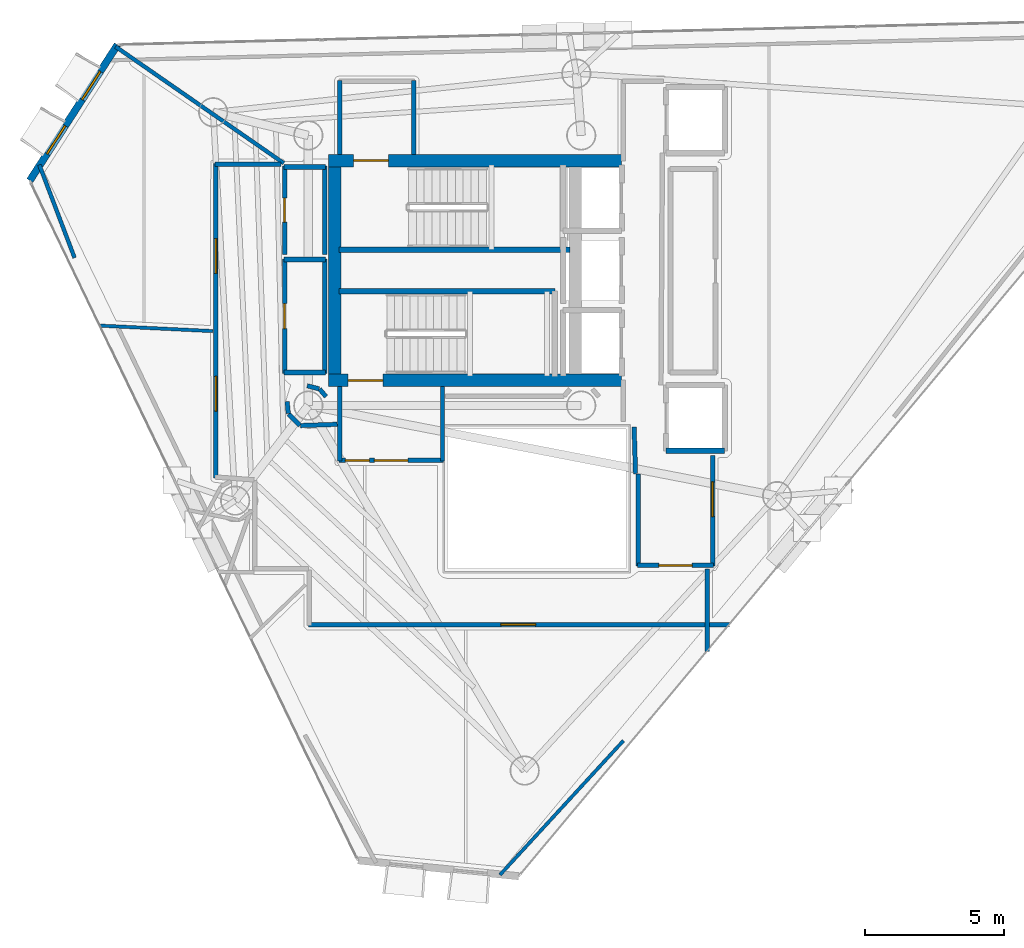
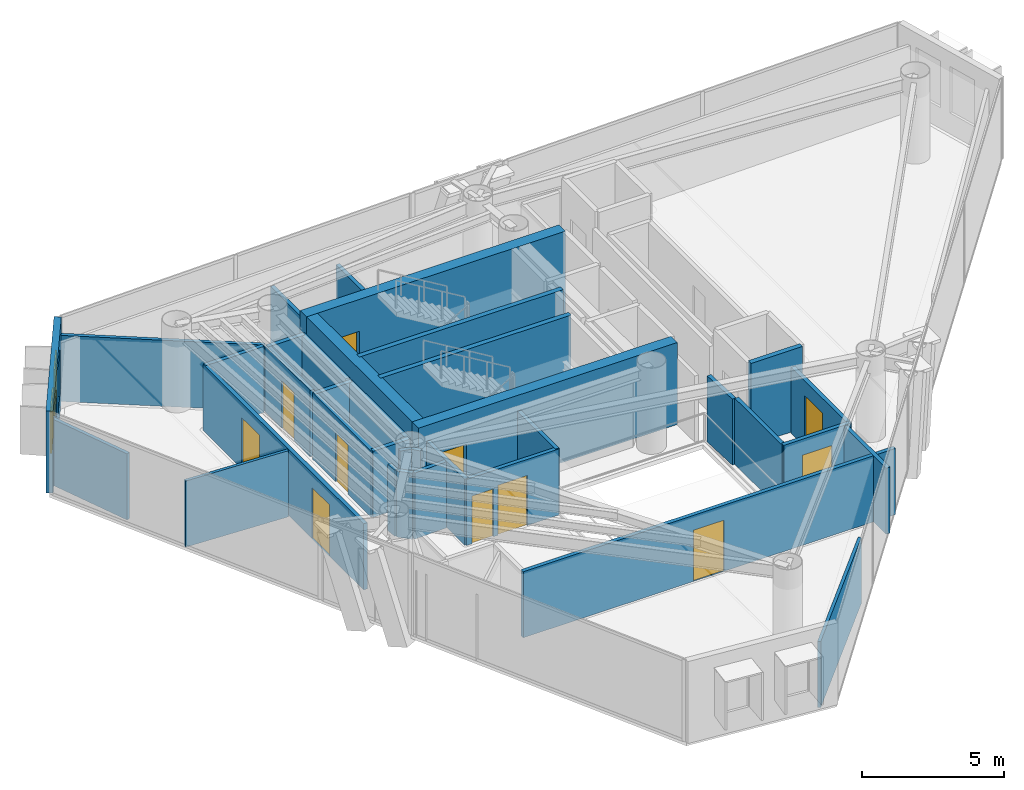
# One storey, part 15 of 20: 36 walls, 11 doors, 2 windows, 13 openings.
"""IFC4 building model written with IfcOpenShell, lengths in metres."""

from ifc_helpers import new_model, si_unit, direction, frame, frame_2d, origin, place, context, subcontext, project, spatial, rectangle, extrude, material, layer, layer_set, type_object, element, fill, save


model = new_model("IFC4")

# Units and contexts
model_context = context("Model", 3, precision=1e-05, world=origin(), true_north=direction((0.0, 1.0)))
body_context = subcontext(model_context, "Body", "Model", "MODEL_VIEW")
ifc_project = project(units=[si_unit("LENGTHUNIT", "METRE"), si_unit("AREAUNIT", "SQUARE_METRE"), si_unit("VOLUMEUNIT", "CUBIC_METRE"), si_unit("PLANEANGLEUNIT", "RADIAN"), si_unit("MASSUNIT", "GRAM", prefix="KILO")], contexts=[model_context])

# Site, building, storey
site_placement = place(None, origin())
site = spatial("IfcSite", under=ifc_project, at=site_placement, CompositionType="ELEMENT")
building_placement = place(site_placement, origin())
building = spatial("IfcBuilding", under=site, at=building_placement, Name="Qianvela Tower", CompositionType="ELEMENT")
storey_placement = place(building_placement, frame((0.0, 0.0, 257.5)))
storey = spatial("IfcBuildingStorey", under=building, at=storey_placement, Name="L66", CompositionType="ELEMENT", Elevation=257.5)

# Wall, openings, windows
ifc_material_1 = material(Name="Terracotta Cladding on Concrete C40", Category="masonry")
ifc_layer_1 = layer(ifc_material_1, 0.260009765625)
ifc_layer_set_1 = layer_set([ifc_layer_1], Name="Terracotta Cladding on Concrete C40")
wall_type_1 = type_object("IfcWallType", Name="TERRACOTTA-WALL-260", PredefinedType="SOLIDWALL", material=ifc_layer_set_1)
wall_1_placement = place(storey_placement, frame((21.746826171875, 36.807373046875, 0.0), z_axis=(0.0, 0.0, 1.0), x_axis=(-0.542495743592, -0.84005855045, 0.0)))
wall_1 = element("IfcWall", 1, at=wall_1_placement, inside=storey, type_object=wall_type_1, Name="L66 Terracotta Chamfer Facet Wall 3", PredefinedType="SOLIDWALL", context=body_context, shape_type="SweptSolid", body=[
    extrude(rectangle(XDim=5.80322265625, YDim=0.260009765625, at=frame_2d((2.901611328125, 0.0))), origin(), (0.0, 0.0, 1.0), 3.52001953125),
])
opening_1_placement = place(wall_1_placement, frame((1.14111328125, 0.0, 0.89990234375)))
opening_1 = element("IfcOpeningElement", 2, at=opening_1_placement, cuts=wall_1, Name="Opening W-03", PredefinedType="OPENING", context=body_context, shape_type="SweptSolid", body=[
    extrude(rectangle(XDim=1.199951171875, YDim=2.0, at=frame_2d((0.60009765625, 1.0))), frame((0.0, 0.139892578125, 0.0), z_axis=(0.0, -1.0, 0.0), x_axis=(1.0, 0.0, 0.0)), (0.0, 0.0, 1.0), 0.280029296875),
])
opening_2_placement = place(wall_1_placement, frame((3.462158203125, 0.0, 0.89990234375)))
opening_2 = element("IfcOpeningElement", 3, at=opening_2_placement, cuts=wall_1, Name="Opening W-03", PredefinedType="OPENING", context=body_context, shape_type="SweptSolid", body=[
    extrude(rectangle(XDim=1.199951171875, YDim=2.0, at=frame_2d((0.60009765625, 1.0))), frame((0.0, 0.139892578125, 0.0), z_axis=(0.0, -1.0, 0.0), x_axis=(1.0, 0.0, 0.0)), (0.0, 0.0, 1.0), 0.280029296875),
])
ifc_material_2 = material(Name="Thermally Broken Aluminium and Low-E Glass", Category="aluminium")
window_type = type_object("IfcWindowType", Name="WIN-TC-1200x2000", PartitioningType="SINGLE_PANEL", PredefinedType="WINDOW", material=ifc_material_2)
window_1_placement = place(opening_1_placement, origin())
window_1 = element("IfcWindow", 4, at=window_1_placement, inside=storey, type_object=window_type, Name="L66 Chamfer Facet Window 3.1", OverallHeight=2.0, OverallWidth=1.199951171875, PartitioningType="SINGLE_PANEL", PredefinedType="WINDOW", context=body_context, shape_type="SweptSolid", body=[
    extrude(rectangle(XDim=1.199951171875, YDim=2.0, at=frame_2d((0.60009765625, 1.0))), frame((0.0, 0.030029296875, 0.0), z_axis=(0.0, -1.0, 0.0), x_axis=(1.0, 0.0, 0.0)), (0.0, 0.0, 1.0), 0.06005859375),
])
fill(opening_1, window_1)
window_2_placement = place(opening_2_placement, origin())
window_2 = element("IfcWindow", 5, at=window_2_placement, inside=storey, type_object=window_type, Name="L66 Chamfer Facet Window 3.2", OverallHeight=2.0, OverallWidth=1.199951171875, PartitioningType="SINGLE_PANEL", PredefinedType="WINDOW", context=body_context, shape_type="SweptSolid", body=[
    extrude(rectangle(XDim=1.199951171875, YDim=2.0, at=frame_2d((0.60009765625, 1.0))), frame((0.0, 0.030029296875, 0.0), z_axis=(0.0, -1.0, 0.0), x_axis=(1.0, 0.0, 0.0)), (0.0, 0.0, 1.0), 0.06005859375),
])
fill(opening_2, window_2)

# Wall, opening, door
ifc_material_3 = material(Name="Concrete C50", Category="concrete")
ifc_layer_2 = layer(ifc_material_3, 0.449951171875)
ifc_layer_set_2 = layer_set([ifc_layer_2], Name="Concrete C50")
wall_type_2 = type_object("IfcWallType", Name="WT-CORE-450", PredefinedType="SHEAR", material=ifc_layer_set_2)
wall_2_placement = place(storey_placement, frame((29.330078125, 32.64501953125, 0.0), z_axis=(0.0, 0.0, 1.0), x_axis=(1.0, 0.0, 0.0)))
wall_2 = element("IfcWall", 6, at=wall_2_placement, inside=storey, type_object=wall_type_2, Name="L66 North Core Shear Wall", PredefinedType="SHEAR", context=body_context, shape_type="SweptSolid", body=[
    extrude(rectangle(XDim=10.52001953125, YDim=0.449951171875, at=frame_2d((5.260009765625, 0.0))), origin(), (0.0, 0.0, 1.0), 3.52001953125),
])
opening_3_placement = place(wall_2_placement, frame((0.89501953125, 0.0, 0.0)))
opening_3 = element("IfcOpeningElement", 7, at=opening_3_placement, cuts=wall_2, Name="Opening D-ST1", PredefinedType="OPENING", context=body_context, shape_type="SweptSolid", body=[
    extrude(rectangle(XDim=1.25, YDim=2.14990234375, at=frame_2d((0.625, 1.074951171875))), frame((0.0, 0.23486328125, 0.0), z_axis=(0.0, -1.0, 0.0), x_axis=(1.0, 0.0, 0.0)), (0.0, 0.0, 1.0), 0.469970703125),
])
ifc_material_4 = material(Name="Galvanised Fire Steel Q355B", Category="steel")
door_type_1 = type_object("IfcDoorType", Name="DT-STAIR-FD90", OperationType="NOTDEFINED", PredefinedType="DOOR", material=ifc_material_4)
door_1_placement = place(opening_3_placement, origin())
door_1 = element("IfcDoor", 8, at=door_1_placement, inside=storey, type_object=door_type_1, Name="L66 Stair ST-1 Exit Door", OperationType="SINGLE_SWING_RIGHT", OverallHeight=2.14990234375, OverallWidth=1.25, PredefinedType="DOOR", context=body_context, shape_type="SweptSolid", body=[
    extrude(rectangle(XDim=1.25, YDim=2.14990234375, at=frame_2d((0.625, 1.074951171875))), frame((0.0, 0.02490234375, 0.0), z_axis=(0.0, -1.0, 0.0), x_axis=(1.0, 0.0, 0.0)), (0.0, 0.0, 1.0), 0.050048828125),
])
fill(opening_3, door_1)

wall_3_placement = place(storey_placement, frame((29.330078125, 24.7548828125, 0.0), z_axis=(0.0, 0.0, 1.0), x_axis=(1.0, 0.0, 0.0)))
wall_3 = element("IfcWall", 9, at=wall_3_placement, inside=storey, type_object=wall_type_2, Name="L66 South Core Shear Wall", PredefinedType="SHEAR", context=body_context, shape_type="SweptSolid", body=[
    extrude(rectangle(XDim=10.52001953125, YDim=0.449951171875, at=frame_2d((5.260009765625, 0.0))), origin(), (0.0, 0.0, 1.0), 3.52001953125),
])
opening_4_placement = place(wall_3_placement, frame((0.695068359375, 0.0, 0.0)))
opening_4 = element("IfcOpeningElement", 10, at=opening_4_placement, cuts=wall_3, Name="Opening D-ST1", PredefinedType="OPENING", context=body_context, shape_type="SweptSolid", body=[
    extrude(rectangle(XDim=1.25, YDim=2.14990234375, at=frame_2d((0.625, 1.074951171875))), frame((0.0, 0.23486328125, 0.0), z_axis=(0.0, -1.0, 0.0), x_axis=(1.0, 0.0, 0.0)), (0.0, 0.0, 1.0), 0.469970703125),
])
door_2_placement = place(opening_4_placement, origin())
door_2 = element("IfcDoor", 11, at=door_2_placement, inside=storey, type_object=door_type_1, Name="L66 Stair ST-2 Exit Door", OperationType="SINGLE_SWING_RIGHT", OverallHeight=2.14990234375, OverallWidth=1.25, PredefinedType="DOOR", context=body_context, shape_type="SweptSolid", body=[
    extrude(rectangle(XDim=1.25, YDim=2.14990234375, at=frame_2d((0.625, 1.074951171875))), frame((0.0, 0.02490234375, 0.0), z_axis=(0.0, -1.0, 0.0), x_axis=(1.0, 0.0, 0.0)), (0.0, 0.0, 1.0), 0.050048828125),
])
fill(opening_4, door_2)

# Walls
wall_4_placement = place(storey_placement, frame((29.554931640625, 24.97998046875, 0.0), z_axis=(0.0, 0.0, 1.0), x_axis=(0.0, 1.0, 0.0)))
element("IfcWall", 12, at=wall_4_placement, inside=storey, type_object=wall_type_2, Name="L66 West Core Shear Wall", PredefinedType="SHEAR", context=body_context, shape_type="SweptSolid", body=[
    extrude(rectangle(XDim=7.43994140625, YDim=0.449951171875, at=frame_2d((3.719970703125, 0.0))), origin(), (0.0, 0.0, 1.0), 3.52001953125),
])
ifc_material_5 = material(Name="Fire-Rated Gypsum and Concrete Block", Category="concrete")
ifc_layer_3 = layer(ifc_material_5, 0.159912109375)
ifc_layer_set_3 = layer_set([ifc_layer_3], Name="Fire-Rated Gypsum and Concrete Block")
wall_type_3 = type_object("IfcWallType", Name="WT-CORR-160", PredefinedType="PARTITIONING", material=ifc_layer_set_3)
for number, where, z_axis, x_axis, name in (
    (13, (29.73095703125, 32.85791015625, 0.0), (0.0, 0.0, 1.0), (0.0, 1.0, 0.0), "L66 Partition 2"),
    (14, (32.388916015625, 35.52001953125, 0.0), (0.0, 0.0, 1.0), (0.0, -1.0, 0.0), "L66 Partition 4"),
):
    element("IfcWall", number, at=place(storey_placement, frame(where, z_axis=z_axis, x_axis=x_axis)), inside=storey, type_object=wall_type_3, Name=name, PredefinedType="PARTITIONING", context=body_context, shape_type="SweptSolid", body=[
        extrude(rectangle(XDim=2.662109375, YDim=0.159912109375, at=frame_2d((1.3310546875, 0.0))), origin(), (0.0, 0.0, 1.0), 2.840087890625),
    ])

# Wall, openings, doors
wall_5_placement = place(storey_placement, frame((33.449951171875, 21.881103515625, 0.0), z_axis=(0.0, 0.0, 1.0), x_axis=(-1.0, 0.0, 0.0)))
wall_5 = element("IfcWall", 15, at=wall_5_placement, inside=storey, type_object=wall_type_3, Name="L66 Partition 5", PredefinedType="PARTITIONING", context=body_context, shape_type="SweptSolid", body=[
    extrude(rectangle(XDim=3.75, YDim=0.159912109375, at=frame_2d((1.875, 0.0))), origin(), (0.0, 0.0, 1.0), 2.840087890625),
])
opening_5_placement = place(wall_5_placement, frame((1.27490234375, 0.0, 0.0)))
opening_5 = element("IfcOpeningElement", 16, at=opening_5_placement, cuts=wall_5, Name="Opening D-LB1", PredefinedType="OPENING", context=body_context, shape_type="SweptSolid", body=[
    extrude(rectangle(XDim=1.199951171875, YDim=2.14990234375, at=frame_2d((0.60009765625, 1.074951171875))), frame((0.0, 0.08984375, 0.0), z_axis=(0.0, -1.0, 0.0), x_axis=(1.0, 0.0, 0.0)), (0.0, 0.0, 1.0), 0.179931640625),
])
opening_6_placement = place(wall_5_placement, frame((2.659912109375, 0.0, 0.0)))
opening_6 = element("IfcOpeningElement", 17, at=opening_6_placement, cuts=wall_5, Name="Opening D-LB2", PredefinedType="OPENING", context=body_context, shape_type="SweptSolid", body=[
    extrude(rectangle(XDim=0.860107421875, YDim=2.050048828125, at=frame_2d((0.43017578125, 1.02490234375))), frame((0.0, 0.08984375, 0.0), z_axis=(0.0, -1.0, 0.0), x_axis=(1.0, 0.0, 0.0)), (0.0, 0.0, 1.0), 0.179931640625),
])
ifc_material_6 = material(Name="Glazed Fire-Rated Steel Frame", Category="steel")
door_type_2 = type_object("IfcDoorType", Name="DT-LOBBY-FD90", OperationType="NOTDEFINED", PredefinedType="DOOR", material=ifc_material_6)
door_3_placement = place(opening_5_placement, origin())
door_3 = element("IfcDoor", 18, at=door_3_placement, inside=storey, type_object=door_type_2, Name="L66 Door L66 Firefighting Lobby South to L66 Floor Corridor", OperationType="SINGLE_SWING_RIGHT", OverallHeight=2.14990234375, OverallWidth=1.199951171875, PredefinedType="DOOR", context=body_context, shape_type="SweptSolid", body=[
    extrude(rectangle(XDim=1.199951171875, YDim=2.14990234375, at=frame_2d((0.60009765625, 1.074951171875))), frame((0.0, 0.02490234375, 0.0), z_axis=(0.0, -1.0, 0.0), x_axis=(1.0, 0.0, 0.0)), (0.0, 0.0, 1.0), 0.050048828125),
])
fill(opening_5, door_3)
ifc_material_7 = material(Name="Insulated Steel Fire Door Q355B", Category="steel")
door_type_3 = type_object("IfcDoorType", Name="DT-LOBBY-FD90-860", OperationType="NOTDEFINED", PredefinedType="DOOR", material=ifc_material_7)
door_4_placement = place(opening_6_placement, origin())
door_4 = element("IfcDoor", 19, at=door_4_placement, inside=storey, type_object=door_type_3, Name="L66 Door L66 Firefighting Lobby South to L66 Floor Corridor", OperationType="SINGLE_SWING_RIGHT", OverallHeight=2.050048828125, OverallWidth=0.860107421875, PredefinedType="DOOR", context=body_context, shape_type="SweptSolid", body=[
    extrude(rectangle(XDim=0.860107421875, YDim=2.050048828125, at=frame_2d((0.43017578125, 1.02490234375))), frame((0.0, 0.02490234375, 0.0), z_axis=(0.0, -1.0, 0.0), x_axis=(1.0, 0.0, 0.0)), (0.0, 0.0, 1.0), 0.050048828125),
])
fill(opening_6, door_4)

# Walls
for number, where, z_axis, x_axis, name in (
    (20, (29.73095703125, 21.85009765625, 0.0), (0.0, 0.0, 1.0), (0.0, 1.0, 0.0), "L66 Partition 6"),
    (21, (33.4189453125, 24.5419921875, 0.0), (0.0, 0.0, 1.0), (0.0, -1.0, 0.0), "L66 Partition 8"),
):
    element("IfcWall", number, at=place(storey_placement, frame(where, z_axis=z_axis, x_axis=x_axis)), inside=storey, type_object=wall_type_3, Name=name, PredefinedType="PARTITIONING", context=body_context, shape_type="SweptSolid", body=[
        extrude(rectangle(XDim=2.69189453125, YDim=0.159912109375, at=frame_2d((1.345947265625, 0.0))), origin(), (0.0, 0.0, 1.0), 2.840087890625),
    ])
wall_6_placement = place(storey_placement, frame((40.35107421875, 21.40087890625, 0.0), z_axis=(0.0, 0.0, 1.0), x_axis=(-0.031058045979, 0.999517582527, 0.0)))
element("IfcWall", 22, at=wall_6_placement, inside=storey, type_object=wall_type_3, Name="L66 Partition 9", PredefinedType="PARTITIONING", context=body_context, shape_type="SweptSolid", body=[
    extrude(rectangle(XDim=1.68212890625, YDim=0.159912109375, at=frame_2d((0.841064453125, 0.0))), origin(), (0.0, 0.0, 1.0), 2.840087890625),
])

# Wall, opening, door
wall_7_placement = place(storey_placement, frame((43.118896484375, 22.050048828125, 0.0), z_axis=(0.0, 0.0, 1.0), x_axis=(0.0, -1.0, 0.0)))
wall_7 = element("IfcWall", 23, at=wall_7_placement, inside=storey, type_object=wall_type_3, Name="L66 Partition 16", PredefinedType="PARTITIONING", context=body_context, shape_type="SweptSolid", body=[
    extrude(rectangle(XDim=3.969970703125, YDim=0.159912109375, at=frame_2d((1.98486328125, 0.0))), origin(), (0.0, 0.0, 1.0), 2.840087890625),
])
opening_7_placement = place(wall_7_placement, frame((0.93994140625, 0.0, 0.0)))
opening_7 = element("IfcOpeningElement", 24, at=opening_7_placement, cuts=wall_7, Name="Opening D-LG1", PredefinedType="OPENING", context=body_context, shape_type="SweptSolid", body=[
    extrude(rectangle(XDim=1.25, YDim=2.199951171875, at=frame_2d((0.625, 1.10009765625))), frame((0.0, 0.08984375, 0.0), z_axis=(0.0, -1.0, 0.0), x_axis=(1.0, 0.0, 0.0)), (0.0, 0.0, 1.0), 0.179931640625),
])
ifc_material_8 = material(Name="Anodised Aluminium Acoustic Glass Door", Category="aluminium")
door_type_4 = type_object("IfcDoorType", Name="DT-LOUNGE-1250", OperationType="NOTDEFINED", PredefinedType="DOOR", material=ifc_material_8)
door_5_placement = place(opening_7_placement, origin())
door_5 = element("IfcDoor", 25, at=door_5_placement, inside=storey, type_object=door_type_4, Name="L66 Door Project Huddle Conference L66-02 to L66 Lift Lobby", OperationType="SINGLE_SWING_RIGHT", OverallHeight=2.199951171875, OverallWidth=1.25, PredefinedType="DOOR", context=body_context, shape_type="SweptSolid", body=[
    extrude(rectangle(XDim=1.25, YDim=2.199951171875, at=frame_2d((0.625, 1.10009765625))), frame((0.0, 0.02490234375, 0.0), z_axis=(0.0, -1.0, 0.0), x_axis=(1.0, 0.0, 0.0)), (0.0, 0.0, 1.0), 0.050048828125),
])
fill(opening_7, door_5)

wall_8_placement = place(storey_placement, frame((43.14990234375, 18.111083984375, 0.0), z_axis=(0.0, 0.0, 1.0), x_axis=(-1.0, 0.0, 0.0)))
wall_8 = element("IfcWall", 26, at=wall_8_placement, inside=storey, type_object=wall_type_3, Name="L66 Partition 17", PredefinedType="PARTITIONING", context=body_context, shape_type="SweptSolid", body=[
    extrude(rectangle(XDim=2.72998046875, YDim=0.159912109375, at=frame_2d((1.364990234375, 0.0))), origin(), (0.0, 0.0, 1.0), 2.840087890625),
])
opening_8_placement = place(wall_8_placement, frame((0.764892578125, 0.0, 0.0)))
opening_8 = element("IfcOpeningElement", 27, at=opening_8_placement, cuts=wall_8, Name="Opening D-LB1", PredefinedType="OPENING", context=body_context, shape_type="SweptSolid", body=[
    extrude(rectangle(XDim=1.199951171875, YDim=2.14990234375, at=frame_2d((0.60009765625, 1.074951171875))), frame((0.0, 0.08984375, 0.0), z_axis=(0.0, -1.0, 0.0), x_axis=(1.0, 0.0, 0.0)), (0.0, 0.0, 1.0), 0.179931640625),
])
door_6_placement = place(opening_8_placement, origin())
door_6 = element("IfcDoor", 28, at=door_6_placement, inside=storey, type_object=door_type_2, Name="L66 Door L66 Lift Lobby to L66 Floor Corridor", OperationType="SINGLE_SWING_LEFT", OverallHeight=2.14990234375, OverallWidth=1.199951171875, PredefinedType="DOOR", context=body_context, shape_type="SweptSolid", body=[
    extrude(rectangle(XDim=1.199951171875, YDim=2.14990234375, at=frame_2d((0.60009765625, 1.074951171875))), frame((0.0, 0.02490234375, 0.0), z_axis=(0.0, -1.0, 0.0), x_axis=(1.0, 0.0, 0.0)), (0.0, 0.0, 1.0), 0.050048828125),
])
fill(opening_8, door_6)

# Walls
wall_9_placement = place(storey_placement, frame((40.450927734375, 18.080078125, 0.0), z_axis=(0.0, 0.0, 1.0), x_axis=(0.0, 1.0, 0.0)))
element("IfcWall", 29, at=wall_9_placement, inside=storey, type_object=wall_type_3, Name="L66 Partition 18 seg 1", PredefinedType="PARTITIONING", context=body_context, shape_type="SweptSolid", body=[
    extrude(rectangle(XDim=3.31982421875, YDim=0.159912109375, at=frame_2d((1.659912109375, 0.0))), origin(), (0.0, 0.0, 1.0), 2.840087890625),
])
wall_10_placement = place(storey_placement, frame((29.236083984375, 24.170166015625, 0.0), z_axis=(0.0, 0.0, 1.0), x_axis=(-0.652260263346, 0.757995084984, 0.0)))
element("IfcWall", 30, at=wall_10_placement, inside=storey, type_object=wall_type_3, Name="L66 Partition 35", PredefinedType="PARTITIONING", context=body_context, shape_type="SweptSolid", body=[
    extrude(rectangle(XDim=0.35546875, YDim=0.159912109375, at=frame_2d((0.177734375, 0.0))), origin(), (0.0, 0.0, 1.0), 2.840087890625),
])
wall_11_placement = place(storey_placement, frame((28.98828125, 24.44970703125, 0.0), z_axis=(0.0, 0.0, 1.0), x_axis=(-0.968704505916, 0.248216800836, 0.0)))
element("IfcWall", 31, at=wall_11_placement, inside=storey, type_object=wall_type_3, Name="L66 Partition 36", PredefinedType="PARTITIONING", context=body_context, shape_type="SweptSolid", body=[
    extrude(rectangle(XDim=0.444580078125, YDim=0.159912109375, at=frame_2d((0.22216796875, 0.0))), origin(), (0.0, 0.0, 1.0), 2.840087890625),
])
wall_12_placement = place(storey_placement, frame((27.83837890625, 23.9921875, 0.0), z_axis=(0.0, 0.0, 1.0), x_axis=(0.098273407977, -0.995159453196, 0.0)))
element("IfcWall", 32, at=wall_12_placement, inside=storey, type_object=wall_type_3, Name="L66 Partition 50", PredefinedType="PARTITIONING", context=body_context, shape_type="SweptSolid", body=[
    extrude(rectangle(XDim=0.432373046875, YDim=0.159912109375, at=frame_2d((0.21630859375, 0.0))), origin(), (0.0, 0.0, 1.0), 2.840087890625),
])
wall_13_placement = place(storey_placement, frame((27.889892578125, 23.54296875, 0.0), z_axis=(0.0, 0.0, 1.0), x_axis=(0.707106781187, -0.707106781187, 0.0)))
element("IfcWall", 33, at=wall_13_placement, inside=storey, type_object=wall_type_3, Name="L66 Partition 51", PredefinedType="PARTITIONING", context=body_context, shape_type="SweptSolid", body=[
    extrude(rectangle(XDim=0.570068359375, YDim=0.159912109375, at=frame_2d((0.28515625, 0.0))), origin(), (0.0, 0.0, 1.0), 2.840087890625),
])
wall_14_placement = place(storey_placement, frame((28.31591796875, 23.130615234375, 0.0), z_axis=(0.0, 0.0, 1.0), x_axis=(0.999405342193, 0.034481328227, 0.0)))
element("IfcWall", 34, at=wall_14_placement, inside=storey, type_object=wall_type_3, Name="L66 Partition 52", PredefinedType="PARTITIONING", context=body_context, shape_type="SweptSolid", body=[
    extrude(rectangle(XDim=1.323974609375, YDim=0.159912109375, at=frame_2d((0.662109375, 0.0))), origin(), (0.0, 0.0, 1.0), 2.840087890625),
])
wall_15_placement = place(storey_placement, frame((42.9189453125, 17.97998046875, 0.0), z_axis=(0.0, 0.0, 1.0), x_axis=(0.0, -1.0, 0.0)))
element("IfcWall", 35, at=wall_15_placement, inside=storey, type_object=wall_type_3, Name="L66 Partition 56", PredefinedType="PARTITIONING", context=body_context, shape_type="SweptSolid", body=[
    extrude(rectangle(XDim=2.967041015625, YDim=0.159912109375, at=frame_2d((1.4833984375, 0.0))), origin(), (0.0, 0.0, 1.0), 2.840087890625),
])

# Wall, opening, door
wall_16_placement = place(storey_placement, frame((43.731201171875, 15.98095703125, 0.0), z_axis=(0.0, 0.0, 1.0), x_axis=(-1.0, 0.0, 0.0)))
wall_16 = element("IfcWall", 36, at=wall_16_placement, inside=storey, type_object=wall_type_3, Name="L66 Partition 57", PredefinedType="PARTITIONING", context=body_context, shape_type="SweptSolid", body=[
    extrude(rectangle(XDim=15.131103515625, YDim=0.159912109375, at=frame_2d((7.5654296875, 0.0))), origin(), (0.0, 0.0, 1.0), 2.840087890625),
])
opening_9_placement = place(wall_16_placement, frame((6.96533203125, 0.0, 0.0)))
opening_9 = element("IfcOpeningElement", 37, at=opening_9_placement, cuts=wall_16, Name="Opening D-LG1", PredefinedType="OPENING", context=body_context, shape_type="SweptSolid", body=[
    extrude(rectangle(XDim=1.25, YDim=2.199951171875, at=frame_2d((0.625, 1.10009765625))), frame((0.0, 0.08984375, 0.0), z_axis=(0.0, -1.0, 0.0), x_axis=(1.0, 0.0, 0.0)), (0.0, 0.0, 1.0), 0.179931640625),
])
door_7_placement = place(opening_9_placement, origin())
door_7 = element("IfcDoor", 38, at=door_7_placement, inside=storey, type_object=door_type_4, Name="L66 Door Graduate Seminar Classroom L66-04 to L66 Floor Corridor", OperationType="SINGLE_SWING_RIGHT", OverallHeight=2.199951171875, OverallWidth=1.25, PredefinedType="DOOR", context=body_context, shape_type="SweptSolid", body=[
    extrude(rectangle(XDim=1.25, YDim=2.199951171875, at=frame_2d((0.625, 1.10009765625))), frame((0.0, 0.02490234375, 0.0), z_axis=(0.0, -1.0, 0.0), x_axis=(1.0, 0.0, 0.0)), (0.0, 0.0, 1.0), 0.050048828125),
])
fill(opening_9, door_7)

# Wall, openings, doors
wall_17_placement = place(storey_placement, frame((25.281005859375, 21.253173828125, 0.0), z_axis=(0.0, 0.0, 1.0), x_axis=(0.0, 1.0, 0.0)))
wall_17 = element("IfcWall", 39, at=wall_17_placement, inside=storey, type_object=wall_type_3, Name="L66 Partition 62", PredefinedType="PARTITIONING", context=body_context, shape_type="SweptSolid", body=[
    extrude(rectangle(XDim=11.296875, YDim=0.159912109375, at=frame_2d((5.6484375, 0.0))), origin(), (0.0, 0.0, 1.0), 2.840087890625),
])
opening_10_placement = place(wall_17_placement, frame((2.396484375, 0.0, 0.0)))
opening_10 = element("IfcOpeningElement", 40, at=opening_10_placement, cuts=wall_17, Name="Opening D-LG1", PredefinedType="OPENING", context=body_context, shape_type="SweptSolid", body=[
    extrude(rectangle(XDim=1.25, YDim=2.199951171875, at=frame_2d((0.625, 1.10009765625))), frame((0.0, 0.08984375, 0.0), z_axis=(0.0, -1.0, 0.0), x_axis=(1.0, 0.0, 0.0)), (0.0, 0.0, 1.0), 0.179931640625),
])
opening_11_placement = place(wall_17_placement, frame((7.345458984375, 0.0, 0.0)))
opening_11 = element("IfcOpeningElement", 41, at=opening_11_placement, cuts=wall_17, Name="Opening D-LG1", PredefinedType="OPENING", context=body_context, shape_type="SweptSolid", body=[
    extrude(rectangle(XDim=1.25, YDim=2.199951171875, at=frame_2d((0.625, 1.10009765625))), frame((0.0, 0.08984375, 0.0), z_axis=(0.0, -1.0, 0.0), x_axis=(1.0, 0.0, 0.0)), (0.0, 0.0, 1.0), 0.179931640625),
])
door_8_placement = place(opening_10_placement, origin())
door_8 = element("IfcDoor", 42, at=door_8_placement, inside=storey, type_object=door_type_4, Name="L66 Door Tutorial Breakout Seminar L66-01 to L66 Floor Corridor", OperationType="SINGLE_SWING_LEFT", OverallHeight=2.199951171875, OverallWidth=1.25, PredefinedType="DOOR", context=body_context, shape_type="SweptSolid", body=[
    extrude(rectangle(XDim=1.25, YDim=2.199951171875, at=frame_2d((0.625, 1.10009765625))), frame((0.0, 0.02490234375, 0.0), z_axis=(0.0, -1.0, 0.0), x_axis=(1.0, 0.0, 0.0)), (0.0, 0.0, 1.0), 0.050048828125),
])
fill(opening_10, door_8)
door_9_placement = place(opening_11_placement, origin())
door_9 = element("IfcDoor", 43, at=door_9_placement, inside=storey, type_object=door_type_4, Name="L66 Door Debate Lecture Classroom L66-03 to L66 Floor Corridor", OperationType="SINGLE_SWING_LEFT", OverallHeight=2.199951171875, OverallWidth=1.25, PredefinedType="DOOR", context=body_context, shape_type="SweptSolid", body=[
    extrude(rectangle(XDim=1.25, YDim=2.199951171875, at=frame_2d((0.625, 1.10009765625))), frame((0.0, 0.02490234375, 0.0), z_axis=(0.0, -1.0, 0.0), x_axis=(1.0, 0.0, 0.0)), (0.0, 0.0, 1.0), 0.050048828125),
])
fill(opening_11, door_9)

# Walls
wall_18_placement = place(storey_placement, frame((25.25, 32.51904296875, 0.0), z_axis=(0.0, 0.0, 1.0), x_axis=(1.0, 0.0, 0.0)))
element("IfcWall", 44, at=wall_18_placement, inside=storey, type_object=wall_type_3, Name="L66 Partition 63", PredefinedType="PARTITIONING", context=body_context, shape_type="SweptSolid", body=[
    extrude(rectangle(XDim=2.3701171875, YDim=0.159912109375, at=frame_2d((1.18505859375, 0.0))), origin(), (0.0, 0.0, 1.0), 2.840087890625),
])
ifc_material_9 = material(Name="Insulated Gypsum Stud Partition")
ifc_layer_4 = layer(ifc_material_9, 0.1201171875)
ifc_layer_set_4 = layer_set([ifc_layer_4], Name="Insulated Gypsum Stud Partition")
wall_type_4 = type_object("IfcWallType", Name="WT-PART-120", PredefinedType="PARTITIONING", material=ifc_layer_set_4)
wall_19_placement = place(storey_placement, frame((21.093994140625, 26.720458984375, 0.0), z_axis=(0.0, 0.0, 1.0), x_axis=(0.998832933372, -0.048298770282, 0.0)))
element("IfcWall", 45, at=wall_19_placement, inside=storey, type_object=wall_type_4, Name="L66 Partition 75", PredefinedType="PARTITIONING", context=body_context, shape_type="SweptSolid", body=[
    extrude(rectangle(XDim=4.0791015625, YDim=0.1201171875, at=frame_2d((2.03955078125, 0.0))), origin(), (0.0, 0.0, 1.0), 2.840087890625),
])
wall_20_placement = place(storey_placement, frame((39.9169921875, 11.815185546875, 0.0), z_axis=(0.0, 0.0, 1.0), x_axis=(-0.676977413292, -0.736003792037, 0.0)))
element("IfcWall", 46, at=wall_20_placement, inside=storey, type_object=wall_type_4, Name="L66 Partition 102 seg 1", PredefinedType="PARTITIONING", context=body_context, shape_type="SweptSolid", body=[
    extrude(rectangle(XDim=6.551513671875, YDim=0.1201171875, at=frame_2d((3.27587890625, 0.0))), origin(), (0.0, 0.0, 1.0), 2.840087890625),
])

# Wall, opening, door
ifc_material_10 = material(Name="Moisture-Resistant Acoustic Plumbing Wall")
ifc_layer_5 = layer(ifc_material_10, 0.175048828125)
ifc_layer_set_5 = layer_set([ifc_layer_5], Name="Moisture-Resistant Acoustic Plumbing Wall")
wall_type_5 = type_object("IfcWallType", Name="WT-PLUMB-175", PredefinedType="PLUMBINGWALL", material=ifc_layer_set_5)
wall_21_placement = place(storey_placement, frame((27.7509765625, 25.0, 0.0), z_axis=(0.0, 0.0, 1.0), x_axis=(0.0, 1.0, 0.0)))
wall_21 = element("IfcWall", 47, at=wall_21_placement, inside=storey, type_object=wall_type_5, Name="L66 Partition 23", PredefinedType="PLUMBINGWALL", context=body_context, shape_type="SweptSolid", body=[
    extrude(rectangle(XDim=4.1201171875, YDim=0.175048828125, at=frame_2d((2.06005859375, 0.0))), origin(), (0.0, 0.0, 1.0), 2.840087890625),
])
opening_12_placement = place(wall_21_placement, frame((1.610107421875, 0.0, 0.0)))
opening_12 = element("IfcOpeningElement", 48, at=opening_12_placement, cuts=wall_21, Name="Opening D-KT1", PredefinedType="OPENING", context=body_context, shape_type="SweptSolid", body=[
    extrude(rectangle(XDim=0.89990234375, YDim=2.10009765625, at=frame_2d((0.449951171875, 1.050048828125))), frame((0.0, 0.097412109375, 0.0), z_axis=(0.0, -1.0, 0.0), x_axis=(1.0, 0.0, 0.0)), (0.0, 0.0, 1.0), 0.195068359375),
])
ifc_material_11 = material(Name="Glazed Timber Kitchen Door", Category="wood")
door_type_5 = type_object("IfcDoorType", Name="DT-KITCH-900", OperationType="NOTDEFINED", PredefinedType="DOOR", material=ifc_material_11)
door_10_placement = place(opening_12_placement, origin())
door_10 = element("IfcDoor", 49, at=door_10_placement, inside=storey, type_object=door_type_5, Name="L66 Door L66 Core Tea Pantry West to L66 Floor Corridor", OperationType="SINGLE_SWING_RIGHT", OverallHeight=2.10009765625, OverallWidth=0.89990234375, PredefinedType="DOOR", context=body_context, shape_type="SweptSolid", body=[
    extrude(rectangle(XDim=0.89990234375, YDim=2.10009765625, at=frame_2d((0.449951171875, 1.050048828125))), frame((0.0, 0.02490234375, 0.0), z_axis=(0.0, -1.0, 0.0), x_axis=(1.0, 0.0, 0.0)), (0.0, 0.0, 1.0), 0.050048828125),
])
fill(opening_12, door_10)

# Walls
wall_22_placement = place(storey_placement, frame((27.719970703125, 29.089111328125, 0.0), z_axis=(0.0, 0.0, 1.0), x_axis=(1.0, 0.0, 0.0)))
element("IfcWall", 50, at=wall_22_placement, inside=storey, type_object=wall_type_5, Name="L66 Partition 24", PredefinedType="PLUMBINGWALL", context=body_context, shape_type="SweptSolid", body=[
    extrude(rectangle(XDim=1.5, YDim=0.175048828125, at=frame_2d((0.75, 0.0))), origin(), (0.0, 0.0, 1.0), 2.840087890625),
])
wall_23_placement = place(storey_placement, frame((29.18896484375, 29.1201171875, 0.0), z_axis=(0.0, 0.0, 1.0), x_axis=(0.0, -1.0, 0.0)))
element("IfcWall", 51, at=wall_23_placement, inside=storey, type_object=wall_type_5, Name="L66 Partition 25", PredefinedType="PLUMBINGWALL", context=body_context, shape_type="SweptSolid", body=[
    extrude(rectangle(XDim=4.1201171875, YDim=0.175048828125, at=frame_2d((2.06005859375, 0.0))), origin(), (0.0, 0.0, 1.0), 2.840087890625),
])
wall_24_placement = place(storey_placement, frame((29.219970703125, 25.031005859375, 0.0), z_axis=(0.0, 0.0, 1.0), x_axis=(-1.0, 0.0, 0.0)))
element("IfcWall", 52, at=wall_24_placement, inside=storey, type_object=wall_type_5, Name="L66 Partition 26", PredefinedType="PLUMBINGWALL", context=body_context, shape_type="SweptSolid", body=[
    extrude(rectangle(XDim=1.5, YDim=0.175048828125, at=frame_2d((0.75, 0.0))), origin(), (0.0, 0.0, 1.0), 2.840087890625),
])

# Wall, opening, door
wall_25_placement = place(storey_placement, frame((27.7509765625, 29.280029296875, 0.0), z_axis=(0.0, 0.0, 1.0), x_axis=(0.0, 1.0, 0.0)))
wall_25 = element("IfcWall", 53, at=wall_25_placement, inside=storey, type_object=wall_type_5, Name="L66 Partition 27", PredefinedType="PLUMBINGWALL", context=body_context, shape_type="SweptSolid", body=[
    extrude(rectangle(XDim=3.169921875, YDim=0.175048828125, at=frame_2d((1.5849609375, 0.0))), origin(), (0.0, 0.0, 1.0), 2.840087890625),
])
opening_13_placement = place(wall_25_placement, frame((1.155029296875, 0.0, 0.0)))
opening_13 = element("IfcOpeningElement", 54, at=opening_13_placement, cuts=wall_25, Name="Opening D-WC1", PredefinedType="OPENING", context=body_context, shape_type="SweptSolid", body=[
    extrude(rectangle(XDim=0.860107421875, YDim=2.050048828125, at=frame_2d((0.43017578125, 1.02490234375))), frame((0.0, 0.097412109375, 0.0), z_axis=(0.0, -1.0, 0.0), x_axis=(1.0, 0.0, 0.0)), (0.0, 0.0, 1.0), 0.195068359375),
])
ifc_material_12 = material(Name="Moisture-Sealed Acoustic Timber Door", Category="wood")
door_type_6 = type_object("IfcDoorType", Name="DT-WC-860", OperationType="NOTDEFINED", PredefinedType="DOOR", material=ifc_material_12)
door_11_placement = place(opening_13_placement, origin())
door_11 = element("IfcDoor", 55, at=door_11_placement, inside=storey, type_object=door_type_6, Name="L66 Door L66 Accessible WC to L66 Floor Corridor", OperationType="SINGLE_SWING_LEFT", OverallHeight=2.050048828125, OverallWidth=0.860107421875, PredefinedType="DOOR", context=body_context, shape_type="SweptSolid", body=[
    extrude(rectangle(XDim=0.860107421875, YDim=2.050048828125, at=frame_2d((0.43017578125, 1.02490234375))), frame((0.0, 0.02490234375, 0.0), z_axis=(0.0, -1.0, 0.0), x_axis=(1.0, 0.0, 0.0)), (0.0, 0.0, 1.0), 0.050048828125),
])
fill(opening_13, door_11)

# Walls
wall_26_placement = place(storey_placement, frame((27.719970703125, 32.4189453125, 0.0), z_axis=(0.0, 0.0, 1.0), x_axis=(1.0, 0.0, 0.0)))
element("IfcWall", 56, at=wall_26_placement, inside=storey, type_object=wall_type_5, Name="L66 Partition 28", PredefinedType="PLUMBINGWALL", context=body_context, shape_type="SweptSolid", body=[
    extrude(rectangle(XDim=1.5, YDim=0.175048828125, at=frame_2d((0.75, 0.0))), origin(), (0.0, 0.0, 1.0), 2.840087890625),
])
wall_27_placement = place(storey_placement, frame((29.18896484375, 32.449951171875, 0.0), z_axis=(0.0, 0.0, 1.0), x_axis=(0.0, -1.0, 0.0)))
element("IfcWall", 57, at=wall_27_placement, inside=storey, type_object=wall_type_5, Name="L66 Partition 29", PredefinedType="PLUMBINGWALL", context=body_context, shape_type="SweptSolid", body=[
    extrude(rectangle(XDim=3.169921875, YDim=0.175048828125, at=frame_2d((1.5849609375, 0.0))), origin(), (0.0, 0.0, 1.0), 2.840087890625),
])
ifc_material_13 = material(Name="Acoustic Double Gypsum Stud Partition")
ifc_layer_6 = layer(ifc_material_13, 0.139892578125)
ifc_layer_set_6 = layer_set([ifc_layer_6], Name="Acoustic Double Gypsum Stud Partition")
wall_type_6 = type_object("IfcWallType", Name="WT-ROOM-140", PredefinedType="PARTITIONING", material=ifc_layer_set_6)
wall_28_placement = place(storey_placement, frame((27.7177734375, 32.552734375, 0.0), z_axis=(0.0, 0.0, 1.0), x_axis=(-0.821796079358, 0.569781716056, 0.0)))
element("IfcWall", 58, at=wall_28_placement, inside=storey, type_object=wall_type_6, Name="L66 Partition 86", PredefinedType="PARTITIONING", context=body_context, shape_type="SweptSolid", body=[
    extrude(rectangle(XDim=7.347900390625, YDim=0.139892578125, at=frame_2d((3.673828125, 0.0))), origin(), (0.0, 0.0, 1.0), 2.840087890625),
])
wall_29_placement = place(storey_placement, frame((20.204345703125, 29.15673828125, 0.0), z_axis=(0.0, 0.0, 1.0), x_axis=(-0.354383944094, 0.935100005437, 0.0)))
element("IfcWall", 59, at=wall_29_placement, inside=storey, type_object=wall_type_6, Name="L66 Partition 98 seg 1", PredefinedType="PARTITIONING", context=body_context, shape_type="SweptSolid", body=[
    extrude(rectangle(XDim=3.567138671875, YDim=0.139892578125, at=frame_2d((1.78369140625, 0.0))), origin(), (0.0, 0.0, 1.0), 2.840087890625),
])
ifc_material_14 = material(Name="Concrete C50", Category="concrete")
ifc_layer_7 = layer(ifc_material_14, 0.199951171875)
ifc_layer_set_7 = layer_set([ifc_layer_7], Name="Concrete C50")
wall_type_7 = type_object("IfcWallType", Name="WT-SHAFT-200", PredefinedType="SOLIDWALL", material=ifc_layer_set_7)
wall_30_placement = place(storey_placement, frame((29.699951171875, 29.449951171875, 0.0), z_axis=(0.0, 0.0, 1.0), x_axis=(1.0, 0.0, 0.0)))
element("IfcWall", 60, at=wall_30_placement, inside=storey, type_object=wall_type_7, Name="L66 Stair ST-1 South Wall", PredefinedType="SOLIDWALL", context=body_context, shape_type="SweptSolid", body=[
    extrude(rectangle(XDim=8.300048828125, YDim=0.199951171875, at=frame_2d((4.14990234375, 0.0))), origin(), (0.0, 0.0, 1.0), 3.52001953125),
])
wall_31_placement = place(storey_placement, frame((29.699951171875, 27.9599609375, 0.0), z_axis=(0.0, 0.0, 1.0), x_axis=(1.0, 0.0, 0.0)))
element("IfcWall", 61, at=wall_31_placement, inside=storey, type_object=wall_type_7, Name="L66 Stair ST-2 North Wall", PredefinedType="SOLIDWALL", context=body_context, shape_type="SweptSolid", body=[
    extrude(rectangle(XDim=7.75, YDim=0.199951171875, at=frame_2d((3.875, 0.0))), origin(), (0.0, 0.0, 1.0), 3.52001953125),
])
wall_32_placement = place(storey_placement, frame((41.449951171875, 22.219970703125, 0.0), z_axis=(0.0, 0.0, 1.0), x_axis=(1.0, 0.0, 0.0)))
element("IfcWall", 62, at=wall_32_placement, inside=storey, type_object=wall_type_7, Name="L66 Lift PL-H2 S Shaft Wall", PredefinedType="SOLIDWALL", context=body_context, shape_type="SweptSolid", body=[
    extrude(rectangle(XDim=2.10009765625, YDim=0.199951171875, at=frame_2d((1.050048828125, 0.0))), origin(), (0.0, 0.0, 1.0), 3.52001953125),
])

save(model, "model.ifc")
